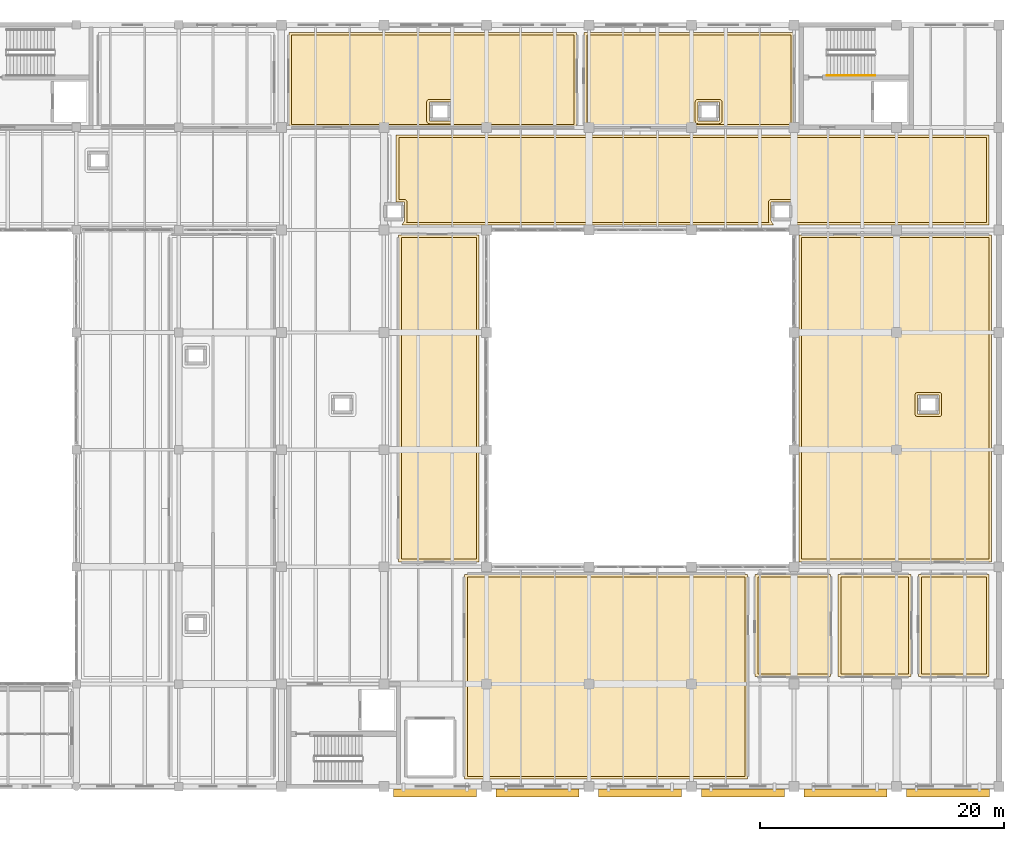
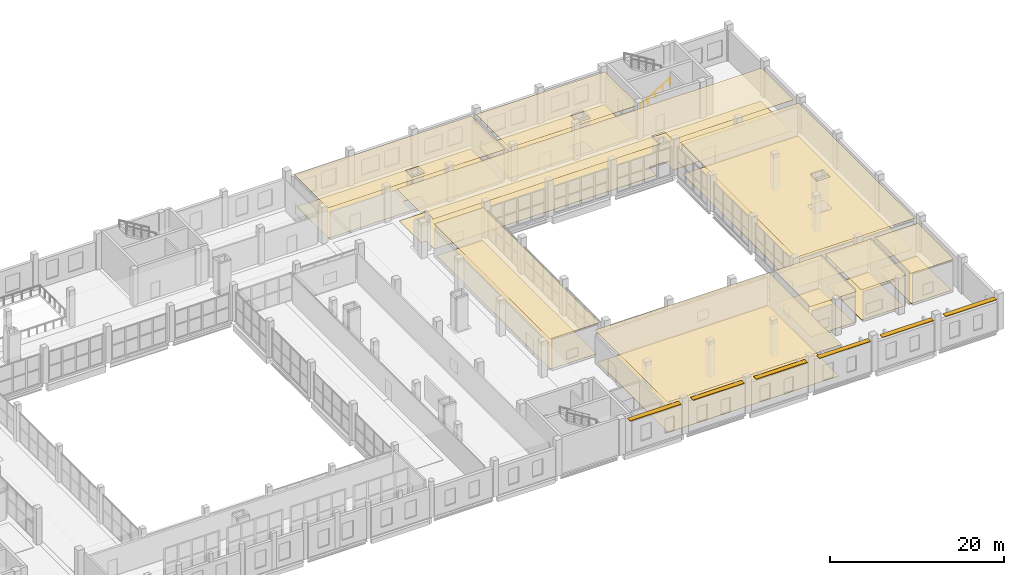
# One storey, part 72 of 73: 18 coverings, 6 shading devices, 1 railing.
"""IFC4 building model written with IfcOpenShell, lengths in metres."""

from ifc_helpers import new_model, si_unit, direction, frame, origin, origin_2d, place, context, subcontext, project, spatial, polyline, rectangle, circle, outline, extrude, material, layer, layer_set, type_object, element, save


model = new_model("IFC4")

# Units and contexts
model_context = context("Model", 3, precision=1e-05, world=origin(), true_north=direction((0.0, 1.0)))
body_context = subcontext(model_context, "Body", "Model", "MODEL_VIEW")
ifc_project = project(units=[si_unit("LENGTHUNIT", "METRE"), si_unit("AREAUNIT", "SQUARE_METRE"), si_unit("VOLUMEUNIT", "CUBIC_METRE"), si_unit("PLANEANGLEUNIT", "RADIAN"), si_unit("MASSUNIT", "GRAM", prefix="KILO")], contexts=[model_context])

# Site, building, storey
site_placement = place(None, origin())
site = spatial("IfcSite", under=ifc_project, at=site_placement, CompositionType="ELEMENT")
building_placement = place(site_placement, origin())
building = spatial("IfcBuilding", under=site, at=building_placement, Name="Zulmaris Art Gallery", CompositionType="ELEMENT")
storey_placement = place(building_placement, frame((0.0, 0.0, 10.5)))
storey = spatial("IfcBuildingStorey", under=building, at=storey_placement, Name="L02", CompositionType="ELEMENT", Elevation=10.5)

# Coverings
ifc_material_1 = material(Name="Micro-Perforated Gypsum Acoustic Ceiling", Category="gypsum")
ifc_layer_1 = layer(ifc_material_1, 0.02490234375)
ifc_layer_set_1 = layer_set([ifc_layer_1], Name="Micro-Perforated Gypsum Acoustic Ceiling")
covering_type_1 = type_object("IfcCoveringType", Name="COV-CL01", PredefinedType="CEILING", material=ifc_layer_set_1)
covering_1_placement = place(storey_placement, frame((0.0, 0.0, 4.449951171875)))
element("IfcCovering", 1, at=covering_1_placement, inside=storey, type_object=covering_type_1, Name="L02 Conservation North Corridor acoustic ceiling", PredefinedType="CEILING", context=body_context, shape_type="SweptSolid", body=[
    extrude(outline(polyline([(151.678466796875, 59.54150390625), (151.67919921875, 59.544189453125), (151.6796875, 59.547119140625), (151.679931640625, 59.555419921875), (151.679931640625, 61.044677734375), (151.6796875, 61.052978515625), (151.67919921875, 61.055908203125), (151.678466796875, 61.05859375), (151.677490234375, 61.061279296875), (151.67626953125, 61.06396484375), (151.6748046875, 61.06640625), (151.673095703125, 61.06884765625), (151.6708984375, 61.071044921875), (151.6689453125, 61.072998046875), (151.66650390625, 61.07470703125), (151.6640625, 61.076171875), (151.661376953125, 61.077392578125), (151.65869140625, 61.07861328125), (151.65576171875, 61.0791015625), (151.65283203125, 61.07958984375), (151.64453125, 61.080078125), (151.010009765625, 61.080078125), (151.010009765625, 66.590087890625), (199.590087890625, 66.590087890625), (199.590087890625, 59.2099609375), (183.28076171875, 59.2099609375), (183.476318359375, 59.535888671875), (183.4775390625, 59.53857421875), (183.478515625, 59.54150390625), (183.479248046875, 59.544189453125), (183.4794921875, 59.547119140625), (183.47998046875, 59.555419921875), (183.47998046875, 61.044677734375), (183.4794921875, 61.052978515625), (183.479248046875, 61.055908203125), (183.478515625, 61.05859375), (183.4775390625, 61.061279296875), (183.476318359375, 61.06396484375), (183.474609375, 61.06640625), (183.472900390625, 61.06884765625), (183.470947265625, 61.071044921875), (183.468994140625, 61.072998046875), (183.466552734375, 61.07470703125), (183.464111328125, 61.076171875), (183.46142578125, 61.077392578125), (183.45849609375, 61.07861328125), (183.455810546875, 61.0791015625), (183.452880859375, 61.07958984375), (183.444580078125, 61.080078125), (181.75537109375, 61.080078125), (181.7470703125, 61.07958984375), (181.744140625, 61.0791015625), (181.741455078125, 61.07861328125), (181.738525390625, 61.077392578125), (181.736083984375, 61.076171875), (181.7333984375, 61.07470703125), (181.731201171875, 61.072998046875), (181.72900390625, 61.071044921875), (181.72705078125, 61.06884765625), (181.725341796875, 61.06640625), (181.723876953125, 61.06396484375), (181.722412109375, 61.061279296875), (181.721435546875, 61.05859375), (181.720703125, 61.055908203125), (181.720458984375, 61.052978515625), (181.719970703125, 61.044677734375), (181.719970703125, 59.555419921875), (181.720458984375, 59.547119140625), (181.720703125, 59.544189453125), (181.721435546875, 59.54150390625), (181.722412109375, 59.53857421875), (181.723876953125, 59.535888671875), (181.919189453125, 59.2099609375), (151.480712890625, 59.2099609375), (151.67626953125, 59.535888671875), (151.677490234375, 59.53857421875), (151.678466796875, 59.54150390625)])), origin(), (0.0, 0.0, 1.0), 0.030029296875),
])
covering_2_placement = place(storey_placement, frame((0.0, 0.0, 4.449951171875)))
element("IfcCovering", 2, at=covering_2_placement, inside=storey, type_object=covering_type_1, Name="Painting Conservation Studio acoustic ceiling", PredefinedType="CEILING", context=body_context, shape_type="SweptSolid", body=[
    extrude(outline(polyline([(142.2099609375, 74.989990234375), (165.7900390625, 74.989990234375), (165.7900390625, 67.2099609375), (142.2099609375, 67.2099609375), (142.2099609375, 74.989990234375)]), holes=[polyline([(153.741455078125, 69.278564453125), (153.738525390625, 69.277587890625), (153.736083984375, 69.276123046875), (153.7333984375, 69.274658203125), (153.731201171875, 69.27294921875), (153.72900390625, 69.27099609375), (153.72705078125, 69.268798828125), (153.725341796875, 69.2666015625), (153.723876953125, 69.263916015625), (153.722412109375, 69.261474609375), (153.721435546875, 69.258544921875), (153.720703125, 69.255859375), (153.720458984375, 69.2529296875), (153.719970703125, 69.24462890625), (153.719970703125, 67.75537109375), (153.720458984375, 67.7470703125), (153.720703125, 67.744140625), (153.721435546875, 67.741455078125), (153.722412109375, 67.738525390625), (153.723876953125, 67.736083984375), (153.725341796875, 67.7333984375), (153.72705078125, 67.731201171875), (153.72900390625, 67.72900390625), (153.731201171875, 67.72705078125), (153.7333984375, 67.725341796875), (153.736083984375, 67.723876953125), (153.738525390625, 67.722412109375), (153.741455078125, 67.721435546875), (153.744140625, 67.720703125), (153.7470703125, 67.720458984375), (153.75537109375, 67.719970703125), (155.444580078125, 67.719970703125), (155.452880859375, 67.720458984375), (155.455810546875, 67.720703125), (155.45849609375, 67.721435546875), (155.46142578125, 67.722412109375), (155.464111328125, 67.723876953125), (155.466552734375, 67.725341796875), (155.468994140625, 67.72705078125), (155.470947265625, 67.72900390625), (155.472900390625, 67.731201171875), (155.474609375, 67.7333984375), (155.476318359375, 67.736083984375), (155.4775390625, 67.738525390625), (155.478515625, 67.741455078125), (155.479248046875, 67.744140625), (155.4794921875, 67.7470703125), (155.47998046875, 67.75537109375), (155.47998046875, 69.24462890625), (155.4794921875, 69.2529296875), (155.479248046875, 69.255859375), (155.478515625, 69.258544921875), (155.4775390625, 69.261474609375), (155.476318359375, 69.263916015625), (155.474609375, 69.2666015625), (155.472900390625, 69.268798828125), (155.470947265625, 69.27099609375), (155.468994140625, 69.27294921875), (155.466552734375, 69.274658203125), (155.464111328125, 69.276123046875), (155.46142578125, 69.277587890625), (155.45849609375, 69.278564453125), (155.455810546875, 69.279296875), (155.452880859375, 69.279541015625), (155.444580078125, 69.280029296875), (153.75537109375, 69.280029296875), (153.7470703125, 69.279541015625), (153.744140625, 69.279296875), (153.741455078125, 69.278564453125)])]), origin(), (0.0, 0.0, 1.0), 0.030029296875),
])
covering_3_placement = place(storey_placement, frame((0.0, 0.0, 4.449951171875)))
element("IfcCovering", 3, at=covering_3_placement, inside=storey, type_object=covering_type_1, Name="Object & Stone Conservation Studio acoustic ceiling", PredefinedType="CEILING", context=body_context, shape_type="SweptSolid", body=[
    extrude(outline(polyline([(166.409912109375, 74.989990234375), (183.590087890625, 74.989990234375), (183.590087890625, 67.2099609375), (166.409912109375, 67.2099609375), (166.409912109375, 74.989990234375)]), holes=[polyline([(175.741455078125, 69.278564453125), (175.738525390625, 69.277587890625), (175.736083984375, 69.276123046875), (175.7333984375, 69.274658203125), (175.731201171875, 69.27294921875), (175.72900390625, 69.27099609375), (175.72705078125, 69.268798828125), (175.725341796875, 69.2666015625), (175.723876953125, 69.263916015625), (175.722412109375, 69.261474609375), (175.721435546875, 69.258544921875), (175.720703125, 69.255859375), (175.720458984375, 69.2529296875), (175.719970703125, 69.24462890625), (175.719970703125, 67.75537109375), (175.720458984375, 67.7470703125), (175.720703125, 67.744140625), (175.721435546875, 67.741455078125), (175.722412109375, 67.738525390625), (175.723876953125, 67.736083984375), (175.725341796875, 67.7333984375), (175.72705078125, 67.731201171875), (175.72900390625, 67.72900390625), (175.731201171875, 67.72705078125), (175.7333984375, 67.725341796875), (175.736083984375, 67.723876953125), (175.738525390625, 67.722412109375), (175.741455078125, 67.721435546875), (175.744140625, 67.720703125), (175.7470703125, 67.720458984375), (175.75537109375, 67.719970703125), (177.444580078125, 67.719970703125), (177.452880859375, 67.720458984375), (177.455810546875, 67.720703125), (177.45849609375, 67.721435546875), (177.46142578125, 67.722412109375), (177.464111328125, 67.723876953125), (177.466552734375, 67.725341796875), (177.468994140625, 67.72705078125), (177.470947265625, 67.72900390625), (177.472900390625, 67.731201171875), (177.474609375, 67.7333984375), (177.476318359375, 67.736083984375), (177.4775390625, 67.738525390625), (177.478515625, 67.741455078125), (177.479248046875, 67.744140625), (177.4794921875, 67.7470703125), (177.47998046875, 67.75537109375), (177.47998046875, 69.24462890625), (177.4794921875, 69.2529296875), (177.479248046875, 69.255859375), (177.478515625, 69.258544921875), (177.4775390625, 69.261474609375), (177.476318359375, 69.263916015625), (177.474609375, 69.2666015625), (177.472900390625, 69.268798828125), (177.470947265625, 69.27099609375), (177.468994140625, 69.27294921875), (177.466552734375, 69.274658203125), (177.464111328125, 69.276123046875), (177.46142578125, 69.277587890625), (177.45849609375, 69.278564453125), (177.455810546875, 69.279296875), (177.452880859375, 69.279541015625), (177.444580078125, 69.280029296875), (175.75537109375, 69.280029296875), (175.7470703125, 69.279541015625), (175.744140625, 69.279296875), (175.741455078125, 69.278564453125)])]), origin(), (0.0, 0.0, 1.0), 0.030029296875),
])
covering_4_placement = place(storey_placement, frame((0.0, 0.0, 4.449951171875)))
element("IfcCovering", 4, at=covering_4_placement, inside=storey, type_object=covering_type_1, Name="Conservation Framing & Gilding Studio acoustic ceiling", PredefinedType="CEILING", context=body_context, shape_type="SweptSolid", body=[
    extrude(outline(polyline([(151.2099609375, 58.389892578125), (157.7900390625, 58.389892578125), (157.7900390625, 31.610107421875), (151.2099609375, 31.610107421875), (151.2099609375, 58.389892578125)])), origin(), (0.0, 0.0, 1.0), 0.030029296875),
])
covering_5_placement = place(storey_placement, frame((0.0, 0.0, 4.449951171875)))
element("IfcCovering", 5, at=covering_5_placement, inside=storey, type_object=covering_type_1, Name="Preventive Conservation & Pest Lab acoustic ceiling", PredefinedType="CEILING", context=body_context, shape_type="SweptSolid", body=[
    extrude(outline(polyline([(184.010009765625, 58.389892578125), (199.7900390625, 58.389892578125), (199.7900390625, 31.610107421875), (184.010009765625, 31.610107421875), (184.010009765625, 58.389892578125)]), holes=[polyline([(193.741455078125, 45.278564453125), (193.738525390625, 45.277587890625), (193.736083984375, 45.276123046875), (193.7333984375, 45.274658203125), (193.731201171875, 45.27294921875), (193.72900390625, 45.27099609375), (193.72705078125, 45.268798828125), (193.725341796875, 45.2666015625), (193.723876953125, 45.263916015625), (193.722412109375, 45.261474609375), (193.721435546875, 45.258544921875), (193.720703125, 45.255859375), (193.720458984375, 45.2529296875), (193.719970703125, 45.24462890625), (193.719970703125, 43.75537109375), (193.720458984375, 43.7470703125), (193.720703125, 43.744140625), (193.721435546875, 43.741455078125), (193.722412109375, 43.738525390625), (193.723876953125, 43.736083984375), (193.725341796875, 43.7333984375), (193.72705078125, 43.731201171875), (193.72900390625, 43.72900390625), (193.731201171875, 43.72705078125), (193.7333984375, 43.725341796875), (193.736083984375, 43.723876953125), (193.738525390625, 43.722412109375), (193.741455078125, 43.721435546875), (193.744140625, 43.720703125), (193.7470703125, 43.720458984375), (193.75537109375, 43.719970703125), (195.444580078125, 43.719970703125), (195.452880859375, 43.720458984375), (195.455810546875, 43.720703125), (195.45849609375, 43.721435546875), (195.46142578125, 43.722412109375), (195.464111328125, 43.723876953125), (195.466552734375, 43.725341796875), (195.468994140625, 43.72705078125), (195.470947265625, 43.72900390625), (195.472900390625, 43.731201171875), (195.474609375, 43.7333984375), (195.476318359375, 43.736083984375), (195.4775390625, 43.738525390625), (195.478515625, 43.741455078125), (195.479248046875, 43.744140625), (195.4794921875, 43.7470703125), (195.47998046875, 43.75537109375), (195.47998046875, 45.24462890625), (195.4794921875, 45.2529296875), (195.479248046875, 45.255859375), (195.478515625, 45.258544921875), (195.4775390625, 45.261474609375), (195.476318359375, 45.263916015625), (195.474609375, 45.2666015625), (195.472900390625, 45.268798828125), (195.470947265625, 45.27099609375), (195.468994140625, 45.27294921875), (195.466552734375, 45.274658203125), (195.464111328125, 45.276123046875), (195.46142578125, 45.277587890625), (195.45849609375, 45.278564453125), (195.455810546875, 45.279296875), (195.452880859375, 45.279541015625), (195.444580078125, 45.280029296875), (193.75537109375, 45.280029296875), (193.7470703125, 45.279541015625), (193.744140625, 45.279296875), (193.741455078125, 45.278564453125)])]), origin(), (0.0, 0.0, 1.0), 0.030029296875),
])
covering_6_placement = place(storey_placement, frame((0.0, 0.0, 4.449951171875)))
element("IfcCovering", 6, at=covering_6_placement, inside=storey, type_object=covering_type_1, Name="Curatorial Study Room acoustic ceiling", PredefinedType="CEILING", context=body_context, shape_type="SweptSolid", body=[
    extrude(outline(polyline([(156.610107421875, 30.590087890625), (179.7900390625, 30.590087890625), (179.7900390625, 13.81005859375), (156.610107421875, 13.81005859375), (156.610107421875, 30.590087890625)])), origin(), (0.0, 0.0, 1.0), 0.030029296875),
])
covering_7_placement = place(storey_placement, frame((0.0, 0.0, 4.449951171875)))
element("IfcCovering", 7, at=covering_7_placement, inside=storey, type_object=covering_type_1, Name="Level 02 Male WC acoustic ceiling", PredefinedType="CEILING", context=body_context, shape_type="SweptSolid", body=[
    extrude(outline(polyline([(180.409912109375, 30.590087890625), (186.590087890625, 30.590087890625), (186.590087890625, 22.2099609375), (180.409912109375, 22.2099609375), (180.409912109375, 30.590087890625)])), origin(), (0.0, 0.0, 1.0), 0.030029296875),
])
covering_8_placement = place(storey_placement, frame((0.0, 0.0, 4.449951171875)))
element("IfcCovering", 8, at=covering_8_placement, inside=storey, type_object=covering_type_1, Name="Level 02 Female WC acoustic ceiling", PredefinedType="CEILING", context=body_context, shape_type="SweptSolid", body=[
    extrude(outline(polyline([(187.2099609375, 30.590087890625), (193.18994140625, 30.590087890625), (193.18994140625, 22.2099609375), (187.2099609375, 22.2099609375), (187.2099609375, 30.590087890625)])), origin(), (0.0, 0.0, 1.0), 0.030029296875),
])
covering_9_placement = place(storey_placement, frame((0.0, 0.0, 4.449951171875)))
element("IfcCovering", 9, at=covering_9_placement, inside=storey, type_object=covering_type_1, Name="Level 02 Accessible WC acoustic ceiling", PredefinedType="CEILING", context=body_context, shape_type="SweptSolid", body=[
    extrude(outline(polyline([(193.81005859375, 30.590087890625), (199.590087890625, 30.590087890625), (199.590087890625, 22.2099609375), (193.81005859375, 22.2099609375), (193.81005859375, 30.590087890625)])), origin(), (0.0, 0.0, 1.0), 0.030029296875),
])
ifc_material_2 = material(Name="Honed Omani Limestone Terrazzo Flooring", Category="masonry")
ifc_layer_2 = layer(ifc_material_2, 0.0400390625)
ifc_layer_set_2 = layer_set([ifc_layer_2], Name="Honed Omani Limestone Terrazzo Flooring")
covering_type_2 = type_object("IfcCoveringType", Name="COV-FL01", PredefinedType="FLOORING", material=ifc_layer_set_2)
covering_10_placement = place(storey_placement, origin())
element("IfcCovering", 10, at=covering_10_placement, inside=storey, type_object=covering_type_2, Name="L02 Conservation North Corridor finish flooring", PredefinedType="FLOORING", context=body_context, shape_type="SweptSolid", body=[
    extrude(outline(polyline([(151.87060546875, 59.43212890625), (151.881103515625, 59.454345703125), (151.88916015625, 59.477294921875), (151.895263671875, 59.501220703125), (151.898681640625, 59.525390625), (151.89990234375, 59.550048828125), (151.89990234375, 61.050048828125), (151.898681640625, 61.074462890625), (151.895263671875, 61.098876953125), (151.88916015625, 61.12255859375), (151.881103515625, 61.145751953125), (151.87060546875, 61.167724609375), (151.85791015625, 61.18896484375), (151.84326171875, 61.20849609375), (151.826904296875, 61.226806640625), (151.80859375, 61.243408203125), (151.788818359375, 61.2578125), (151.767822265625, 61.2705078125), (151.74560546875, 61.281005859375), (151.72265625, 61.289306640625), (151.69873046875, 61.295166015625), (151.674560546875, 61.298828125), (151.64990234375, 61.300048828125), (151.22998046875, 61.300048828125), (151.22998046875, 66.3701171875), (199.3701171875, 66.3701171875), (199.3701171875, 59.429931640625), (183.669189453125, 59.429931640625), (183.67041015625, 59.43212890625), (183.680908203125, 59.454345703125), (183.689208984375, 59.477294921875), (183.6953125, 59.501220703125), (183.69873046875, 59.525390625), (183.699951171875, 59.550048828125), (183.699951171875, 61.050048828125), (183.69873046875, 61.074462890625), (183.6953125, 61.098876953125), (183.689208984375, 61.12255859375), (183.680908203125, 61.145751953125), (183.67041015625, 61.167724609375), (183.657958984375, 61.18896484375), (183.643310546875, 61.20849609375), (183.626708984375, 61.226806640625), (183.608642578125, 61.243408203125), (183.5888671875, 61.2578125), (183.56787109375, 61.2705078125), (183.545654296875, 61.281005859375), (183.522705078125, 61.289306640625), (183.498779296875, 61.295166015625), (183.474609375, 61.298828125), (183.449951171875, 61.300048828125), (181.75, 61.300048828125), (181.7255859375, 61.298828125), (181.701171875, 61.295166015625), (181.677490234375, 61.289306640625), (181.654296875, 61.281005859375), (181.632080078125, 61.2705078125), (181.611083984375, 61.2578125), (181.59130859375, 61.243408203125), (181.5732421875, 61.226806640625), (181.556640625, 61.20849609375), (181.5419921875, 61.18896484375), (181.529541015625, 61.167724609375), (181.51904296875, 61.145751953125), (181.5107421875, 61.12255859375), (181.5048828125, 61.098876953125), (181.501220703125, 61.074462890625), (181.5, 61.050048828125), (181.5, 59.550048828125), (181.501220703125, 59.525390625), (181.5048828125, 59.501220703125), (181.5107421875, 59.477294921875), (181.51904296875, 59.454345703125), (181.529541015625, 59.43212890625), (181.53076171875, 59.429931640625), (151.869140625, 59.429931640625), (151.87060546875, 59.43212890625)])), origin(), (0.0, 0.0, 1.0), 0.034912109375),
])
covering_11_placement = place(storey_placement, origin())
element("IfcCovering", 11, at=covering_11_placement, inside=storey, type_object=covering_type_2, Name="Painting Conservation Studio finish flooring", PredefinedType="FLOORING", context=body_context, shape_type="SweptSolid", body=[
    extrude(outline(polyline([(165.570068359375, 67.429931640625), (142.429931640625, 67.429931640625), (142.429931640625, 74.77001953125), (165.570068359375, 74.77001953125), (165.570068359375, 67.429931640625)]), holes=[polyline([(153.7255859375, 69.498779296875), (153.701171875, 69.4951171875), (153.677490234375, 69.4892578125), (153.654296875, 69.48095703125), (153.632080078125, 69.470458984375), (153.611083984375, 69.4580078125), (153.59130859375, 69.443359375), (153.5732421875, 69.4267578125), (153.556640625, 69.40869140625), (153.5419921875, 69.388916015625), (153.529541015625, 69.367919921875), (153.51904296875, 69.345703125), (153.5107421875, 69.322509765625), (153.5048828125, 69.298828125), (153.501220703125, 69.2744140625), (153.5, 69.25), (153.5, 67.75), (153.501220703125, 67.7255859375), (153.5048828125, 67.701171875), (153.5107421875, 67.677490234375), (153.51904296875, 67.654296875), (153.529541015625, 67.632080078125), (153.5419921875, 67.611083984375), (153.556640625, 67.59130859375), (153.5732421875, 67.5732421875), (153.59130859375, 67.556640625), (153.611083984375, 67.5419921875), (153.632080078125, 67.529541015625), (153.654296875, 67.51904296875), (153.677490234375, 67.5107421875), (153.701171875, 67.5048828125), (153.7255859375, 67.501220703125), (153.75, 67.5), (155.449951171875, 67.5), (155.474609375, 67.501220703125), (155.498779296875, 67.5048828125), (155.522705078125, 67.5107421875), (155.545654296875, 67.51904296875), (155.56787109375, 67.529541015625), (155.5888671875, 67.5419921875), (155.608642578125, 67.556640625), (155.626708984375, 67.5732421875), (155.643310546875, 67.59130859375), (155.657958984375, 67.611083984375), (155.67041015625, 67.632080078125), (155.680908203125, 67.654296875), (155.689208984375, 67.677490234375), (155.6953125, 67.701171875), (155.69873046875, 67.7255859375), (155.699951171875, 67.75), (155.699951171875, 69.25), (155.69873046875, 69.2744140625), (155.6953125, 69.298828125), (155.689208984375, 69.322509765625), (155.680908203125, 69.345703125), (155.67041015625, 69.367919921875), (155.657958984375, 69.388916015625), (155.643310546875, 69.40869140625), (155.626708984375, 69.4267578125), (155.608642578125, 69.443359375), (155.5888671875, 69.4580078125), (155.56787109375, 69.470458984375), (155.545654296875, 69.48095703125), (155.522705078125, 69.4892578125), (155.498779296875, 69.4951171875), (155.474609375, 69.498779296875), (155.449951171875, 69.5), (153.75, 69.5), (153.7255859375, 69.498779296875)])]), origin(), (0.0, 0.0, 1.0), 0.034912109375),
])
covering_12_placement = place(storey_placement, origin())
element("IfcCovering", 12, at=covering_12_placement, inside=storey, type_object=covering_type_2, Name="Object & Stone Conservation Studio finish flooring", PredefinedType="FLOORING", context=body_context, shape_type="SweptSolid", body=[
    extrude(outline(polyline([(183.3701171875, 67.429931640625), (166.6298828125, 67.429931640625), (166.6298828125, 74.77001953125), (183.3701171875, 74.77001953125), (183.3701171875, 67.429931640625)]), holes=[polyline([(175.7255859375, 69.498779296875), (175.701171875, 69.4951171875), (175.677490234375, 69.4892578125), (175.654296875, 69.48095703125), (175.632080078125, 69.470458984375), (175.611083984375, 69.4580078125), (175.59130859375, 69.443359375), (175.5732421875, 69.4267578125), (175.556640625, 69.40869140625), (175.5419921875, 69.388916015625), (175.529541015625, 69.367919921875), (175.51904296875, 69.345703125), (175.5107421875, 69.322509765625), (175.5048828125, 69.298828125), (175.501220703125, 69.2744140625), (175.5, 69.25), (175.5, 67.75), (175.501220703125, 67.7255859375), (175.5048828125, 67.701171875), (175.5107421875, 67.677490234375), (175.51904296875, 67.654296875), (175.529541015625, 67.632080078125), (175.5419921875, 67.611083984375), (175.556640625, 67.59130859375), (175.5732421875, 67.5732421875), (175.59130859375, 67.556640625), (175.611083984375, 67.5419921875), (175.632080078125, 67.529541015625), (175.654296875, 67.51904296875), (175.677490234375, 67.5107421875), (175.701171875, 67.5048828125), (175.7255859375, 67.501220703125), (175.75, 67.5), (177.449951171875, 67.5), (177.474609375, 67.501220703125), (177.498779296875, 67.5048828125), (177.522705078125, 67.5107421875), (177.545654296875, 67.51904296875), (177.56787109375, 67.529541015625), (177.5888671875, 67.5419921875), (177.608642578125, 67.556640625), (177.626708984375, 67.5732421875), (177.643310546875, 67.59130859375), (177.657958984375, 67.611083984375), (177.67041015625, 67.632080078125), (177.680908203125, 67.654296875), (177.689208984375, 67.677490234375), (177.6953125, 67.701171875), (177.69873046875, 67.7255859375), (177.699951171875, 67.75), (177.699951171875, 69.25), (177.69873046875, 69.2744140625), (177.6953125, 69.298828125), (177.689208984375, 69.322509765625), (177.680908203125, 69.345703125), (177.67041015625, 69.367919921875), (177.657958984375, 69.388916015625), (177.643310546875, 69.40869140625), (177.626708984375, 69.4267578125), (177.608642578125, 69.443359375), (177.5888671875, 69.4580078125), (177.56787109375, 69.470458984375), (177.545654296875, 69.48095703125), (177.522705078125, 69.4892578125), (177.498779296875, 69.4951171875), (177.474609375, 69.498779296875), (177.449951171875, 69.5), (175.75, 69.5), (175.7255859375, 69.498779296875)])]), origin(), (0.0, 0.0, 1.0), 0.034912109375),
])
covering_13_placement = place(storey_placement, origin())
element("IfcCovering", 13, at=covering_13_placement, inside=storey, type_object=covering_type_2, Name="Conservation Framing & Gilding Studio finish flooring", PredefinedType="FLOORING", context=body_context, shape_type="SweptSolid", body=[
    extrude(outline(polyline([(157.570068359375, 31.830078125), (151.429931640625, 31.830078125), (151.429931640625, 58.169921875), (157.570068359375, 58.169921875), (157.570068359375, 31.830078125)])), origin(), (0.0, 0.0, 1.0), 0.034912109375),
])
covering_14_placement = place(storey_placement, origin())
element("IfcCovering", 14, at=covering_14_placement, inside=storey, type_object=covering_type_2, Name="Preventive Conservation & Pest Lab finish flooring", PredefinedType="FLOORING", context=body_context, shape_type="SweptSolid", body=[
    extrude(outline(polyline([(199.570068359375, 31.830078125), (184.22998046875, 31.830078125), (184.22998046875, 58.169921875), (199.570068359375, 58.169921875), (199.570068359375, 31.830078125)]), holes=[polyline([(193.7255859375, 45.498779296875), (193.701171875, 45.4951171875), (193.677490234375, 45.4892578125), (193.654296875, 45.48095703125), (193.632080078125, 45.470458984375), (193.611083984375, 45.4580078125), (193.59130859375, 45.443359375), (193.5732421875, 45.4267578125), (193.556640625, 45.40869140625), (193.5419921875, 45.388916015625), (193.529541015625, 45.367919921875), (193.51904296875, 45.345703125), (193.5107421875, 45.322509765625), (193.5048828125, 45.298828125), (193.501220703125, 45.2744140625), (193.5, 45.25), (193.5, 43.75), (193.501220703125, 43.7255859375), (193.5048828125, 43.701171875), (193.5107421875, 43.677490234375), (193.51904296875, 43.654296875), (193.529541015625, 43.632080078125), (193.5419921875, 43.611083984375), (193.556640625, 43.59130859375), (193.5732421875, 43.5732421875), (193.59130859375, 43.556640625), (193.611083984375, 43.5419921875), (193.632080078125, 43.529541015625), (193.654296875, 43.51904296875), (193.677490234375, 43.5107421875), (193.701171875, 43.5048828125), (193.7255859375, 43.501220703125), (193.75, 43.5), (195.449951171875, 43.5), (195.474609375, 43.501220703125), (195.498779296875, 43.5048828125), (195.522705078125, 43.5107421875), (195.545654296875, 43.51904296875), (195.56787109375, 43.529541015625), (195.5888671875, 43.5419921875), (195.608642578125, 43.556640625), (195.626708984375, 43.5732421875), (195.643310546875, 43.59130859375), (195.657958984375, 43.611083984375), (195.67041015625, 43.632080078125), (195.680908203125, 43.654296875), (195.689208984375, 43.677490234375), (195.6953125, 43.701171875), (195.69873046875, 43.7255859375), (195.699951171875, 43.75), (195.699951171875, 45.25), (195.69873046875, 45.2744140625), (195.6953125, 45.298828125), (195.689208984375, 45.322509765625), (195.680908203125, 45.345703125), (195.67041015625, 45.367919921875), (195.657958984375, 45.388916015625), (195.643310546875, 45.40869140625), (195.626708984375, 45.4267578125), (195.608642578125, 45.443359375), (195.5888671875, 45.4580078125), (195.56787109375, 45.470458984375), (195.545654296875, 45.48095703125), (195.522705078125, 45.4892578125), (195.498779296875, 45.4951171875), (195.474609375, 45.498779296875), (195.449951171875, 45.5), (193.75, 45.5), (193.7255859375, 45.498779296875)])]), origin(), (0.0, 0.0, 1.0), 0.034912109375),
])
covering_15_placement = place(storey_placement, origin())
element("IfcCovering", 15, at=covering_15_placement, inside=storey, type_object=covering_type_2, Name="Curatorial Study Room finish flooring", PredefinedType="FLOORING", context=body_context, shape_type="SweptSolid", body=[
    extrude(outline(polyline([(179.570068359375, 14.030029296875), (156.830078125, 14.030029296875), (156.830078125, 30.3701171875), (179.570068359375, 30.3701171875), (179.570068359375, 14.030029296875)])), origin(), (0.0, 0.0, 1.0), 0.034912109375),
])
covering_16_placement = place(storey_placement, origin())
element("IfcCovering", 16, at=covering_16_placement, inside=storey, type_object=covering_type_2, Name="Level 02 Male WC finish flooring", PredefinedType="FLOORING", context=body_context, shape_type="SweptSolid", body=[
    extrude(outline(polyline([(186.3701171875, 22.429931640625), (180.6298828125, 22.429931640625), (180.6298828125, 30.3701171875), (186.3701171875, 30.3701171875), (186.3701171875, 22.429931640625)])), origin(), (0.0, 0.0, 1.0), 0.034912109375),
])
covering_17_placement = place(storey_placement, origin())
element("IfcCovering", 17, at=covering_17_placement, inside=storey, type_object=covering_type_2, Name="Level 02 Female WC finish flooring", PredefinedType="FLOORING", context=body_context, shape_type="SweptSolid", body=[
    extrude(outline(polyline([(192.969970703125, 22.429931640625), (187.429931640625, 22.429931640625), (187.429931640625, 30.3701171875), (192.969970703125, 30.3701171875), (192.969970703125, 22.429931640625)])), origin(), (0.0, 0.0, 1.0), 0.034912109375),
])
covering_18_placement = place(storey_placement, origin())
element("IfcCovering", 18, at=covering_18_placement, inside=storey, type_object=covering_type_2, Name="Level 02 Accessible WC finish flooring", PredefinedType="FLOORING", context=body_context, shape_type="SweptSolid", body=[
    extrude(outline(polyline([(199.3701171875, 22.429931640625), (194.030029296875, 22.429931640625), (194.030029296875, 30.3701171875), (199.3701171875, 30.3701171875), (199.3701171875, 22.429931640625)])), origin(), (0.0, 0.0, 1.0), 0.034912109375),
])

# Railing
ifc_material_3 = material(Name="Brushed Bronze Handrail", Category="steel")
ifc_layer_3 = layer(ifc_material_3, 0.048095703125)
ifc_layer_set_3 = layer_set([ifc_layer_3], Name="Brushed Bronze Handrail")
railing_type = type_object("IfcRailingType", Name="RAIL-STHND", PredefinedType="HANDRAIL", material=ifc_layer_set_3)
railing_placement = place(storey_placement, frame((186.300048828125, 71.4599609375, 0.169921875)))
element("IfcRailing", 19, at=railing_placement, inside=storey, type_object=railing_type, Name="L02 ST4 stair handrail 1", PredefinedType="HANDRAIL", context=body_context, shape_type="SweptSolid", body=[
    extrude(circle(Radius=0.02392578125, at=origin_2d()), frame((0.0, 0.0, 0.8759765625), z_axis=(0.854770645689, 0.0, 0.519005918337), x_axis=(0.0, 1.0, 0.0)), (0.0, 0.0, 1.0), 4.5859375),
    extrude(circle(Radius=0.02099609375, at=origin_2d()), origin(), (0.0, 0.0, 1.0), 0.851806640625),
    extrude(circle(Radius=0.02099609375, at=origin_2d()), frame((0.97998046875, 0.0, 0.594970703125)), (0.0, 0.0, 1.0), 0.851806640625),
    extrude(circle(Radius=0.02099609375, at=origin_2d()), frame((1.9599609375, 0.0, 1.18994140625)), (0.0, 0.0, 1.0), 0.851806640625),
    extrude(circle(Radius=0.02099609375, at=origin_2d()), frame((2.93994140625, 0.0, 1.78515625)), (0.0, 0.0, 1.0), 0.851806640625),
    extrude(circle(Radius=0.02099609375, at=origin_2d()), frame((3.919921875, 0.0, 2.380126953125)), (0.0, 0.0, 1.0), 0.851806640625),
])

# Shading devices
ifc_material_4 = material(Name="Anodised Bronze Sunshade Louvre", Category="aluminium")
ifc_layer_4 = layer(ifc_material_4, 0.080078125)
ifc_layer_set_4 = layer_set([ifc_layer_4], Name="Anodised Bronze Sunshade Louvre")
shading_device_type = type_object("IfcShadingDeviceType", Name="SHD-03", PredefinedType="JALOUSIE", material=ifc_layer_set_4)
for number, where, z_axis, x_axis, name in (
    (20, (154.199951171875, 12.679931640625, 4.7099609375), (0.0, 0.0, 1.0), (1.0, 0.0, 0.0), "L02 South facade bronze solar louvre 1"),
    (21, (162.60009765625, 12.679931640625, 4.7099609375), (0.0, 0.0, 1.0), (1.0, 0.0, 0.0), "L02 South facade bronze solar louvre 2"),
    (22, (171.0, 12.679931640625, 4.7099609375), (0.0, 0.0, 1.0), (1.0, 0.0, 0.0), "L02 South facade bronze solar louvre 3"),
    (23, (179.39990234375, 12.679931640625, 4.7099609375), (0.0, 0.0, 1.0), (1.0, 0.0, 0.0), "L02 South facade bronze solar louvre 4"),
    (24, (187.800048828125, 12.679931640625, 4.7099609375), (0.0, 0.0, 1.0), (1.0, 0.0, 0.0), "L02 South facade bronze solar louvre 5"),
    (25, (196.199951171875, 12.679931640625, 4.7099609375), (0.0, 0.0, 1.0), (1.0, 0.0, 0.0), "L02 South facade bronze solar louvre 6"),
):
    element("IfcShadingDevice", number, at=place(storey_placement, frame(where, z_axis=z_axis, x_axis=x_axis)), inside=storey, type_object=shading_device_type, Name=name, PredefinedType="JALOUSIE", context=body_context, shape_type="SweptSolid", body=[
        extrude(rectangle(XDim=6.800048828125, YDim=0.64990234375, at=origin_2d()), origin(), (0.0, 0.0, 1.0), 0.080078125),
    ])

save(model, "model.ifc")
